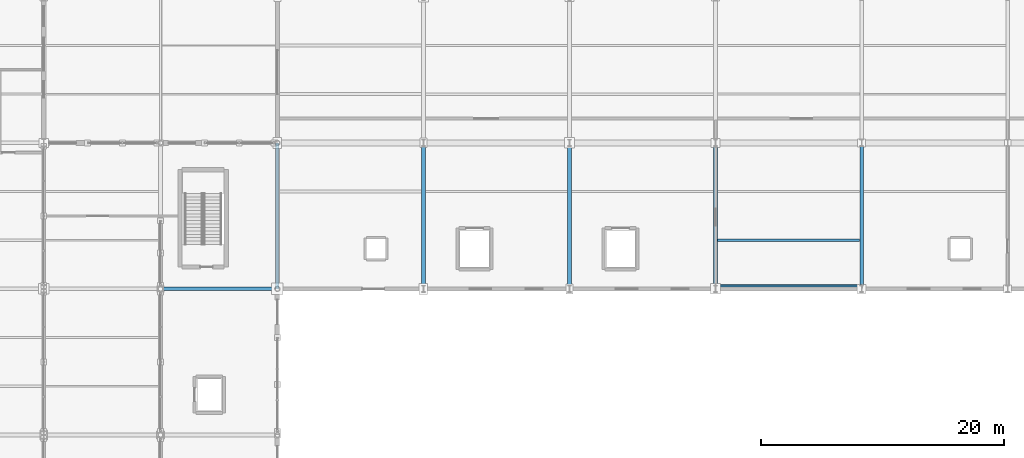
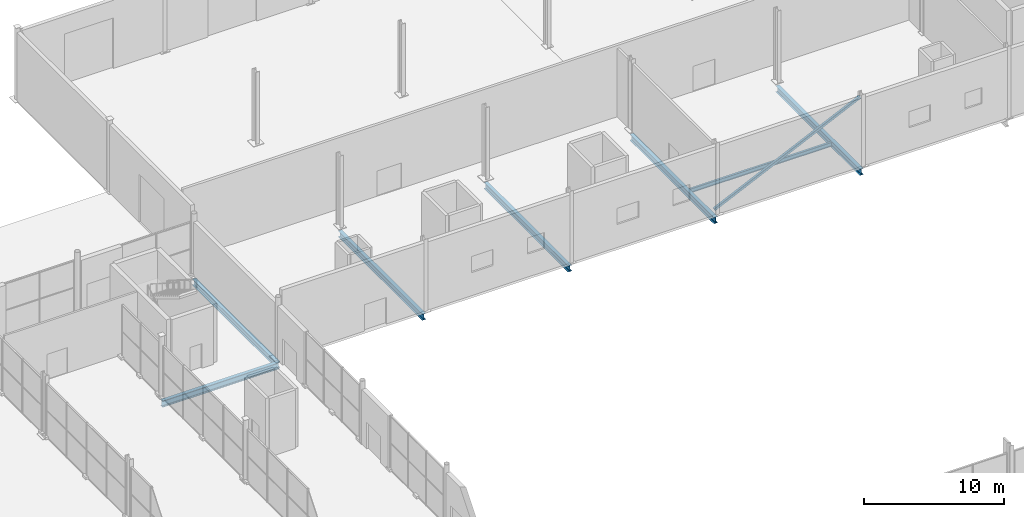
# One storey, part 120 of 196: 7 beams, 1 member.
"""IFC4 building model written with IfcOpenShell, lengths in metres."""

from ifc_helpers import new_model, si_unit, direction, frame, origin, origin_2d, place, context, subcontext, project, spatial, hollow_rectangle, i_section, extrude, material, material_profile, profile_set, type_object, element, save


model = new_model("IFC4")

# Units and contexts
model_context = context("Model", 3, precision=1e-05, world=origin(), true_north=direction((0.0, 1.0)))
body_context = subcontext(model_context, "Body", "Model", "MODEL_VIEW")
ifc_project = project(units=[si_unit("LENGTHUNIT", "METRE"), si_unit("AREAUNIT", "SQUARE_METRE"), si_unit("VOLUMEUNIT", "CUBIC_METRE"), si_unit("PLANEANGLEUNIT", "RADIAN"), si_unit("MASSUNIT", "GRAM", prefix="KILO")], contexts=[model_context])

# Site, building, storey
site_placement = place(None, origin())
site = spatial("IfcSite", under=ifc_project, at=site_placement, CompositionType="ELEMENT")
building_placement = place(site_placement, origin())
building = spatial("IfcBuilding", under=site, at=building_placement, Name="Merenkruunu Market Hall", CompositionType="ELEMENT")
storey_placement = place(building_placement, origin())
storey = spatial("IfcBuildingStorey", under=building, at=storey_placement, Name="L00", CompositionType="ELEMENT", Elevation=0.0)

# Member
ifc_material = material(Name="Steel S355J2", Category="steel")
ifc_material_profile_1 = material_profile(ifc_material, hollow_rectangle(XDim=0.219970703125, YDim=0.219970703125, WallThickness=0.012451171875, InnerFilletRadius=0.012451171875, OuterFilletRadius=0.02490234375, at=origin_2d()), Name="SHS 220x220x12.5")
ifc_profile_set_1 = profile_set([ifc_material_profile_1], Name="Steel S355J2")
member_type = type_object("IfcMemberType", Name="Diagonal Sway Brace BR04", PredefinedType="BRACE", material=ifc_profile_set_1)
member_placement = place(storey_placement, frame((112.800048828125, 87.840087890625, 0.199951171875), z_axis=(0.906180313975, 0.0, 0.422891521036), x_axis=(0.0, 1.0, 0.0)))
element("IfcMember", 1, at=member_placement, inside=storey, type_object=member_type, Name="MEM-CBF09", PredefinedType="BRACE", context=body_context, shape_type="SweptSolid", body=[
    extrude(hollow_rectangle(XDim=0.219970703125, YDim=0.219970703125, WallThickness=0.012451171875, InnerFilletRadius=0.012451171875, OuterFilletRadius=0.02490234375, at=origin_2d()), origin(), (0.0, 0.0, 1.0), 13.242431640625),
])

# Beams
ifc_material_profile_2 = material_profile(ifc_material, i_section(OverallWidth=0.300048828125, OverallDepth=0.550048828125, WebThickness=0.014892578125, FlangeThickness=0.029052734375, FilletRadius=0.027099609375, at=origin_2d()), Name="HEB 550")
ifc_profile_set_2 = profile_set([ifc_material_profile_2], Name="Steel S355J2")
beam_type_1 = type_object("IfcBeamType", Name="Primary Floor Girder B02", PredefinedType="BEAM", material=ifc_profile_set_2)
beam_1_placement = place(storey_placement, frame((67.199951171875, 87.60009765625, -0.574951171875), z_axis=(1.0, 0.0, 0.0), x_axis=(0.0, 1.0, 0.0)))
element("IfcBeam", 2, at=beam_1_placement, inside=storey, type_object=beam_type_1, Name="BM-L00-B02-0113", PredefinedType="BEAM", context=body_context, shape_type="SweptSolid", body=[
    extrude(i_section(OverallWidth=0.300048828125, OverallDepth=0.550048828125, WebThickness=0.014892578125, FlangeThickness=0.029052734375, FilletRadius=0.027099609375, at=origin_2d()), origin(), (0.0, 0.0, 1.0), 9.60009765625),
])
ifc_material_profile_3 = material_profile(ifc_material, i_section(OverallWidth=0.300048828125, OverallDepth=0.5400390625, WebThickness=0.012451171875, FlangeThickness=0.02392578125, FilletRadius=0.027099609375, at=origin_2d()), Name="HEA 550")
ifc_profile_set_3 = profile_set([ifc_material_profile_3], Name="Steel S355J2")
beam_type_2 = type_object("IfcBeamType", Name="Primary Floor Girder B06", PredefinedType="BEAM", material=ifc_profile_set_3)
for number, where, z_axis, x_axis, name in (
    (3, (76.800048828125, 87.60009765625, -0.610107421875), (0.0, 1.0, 0.0), (-1.0, 0.0, 0.0), "BM-L00-B06-0207"),
    (4, (88.800048828125, 87.60009765625, -0.610107421875), (0.0, 1.0, 0.0), (-1.0, 0.0, 0.0), "BM-L00-B06-0212"),
    (5, (100.800048828125, 87.60009765625, -0.610107421875), (0.0, 1.0, 0.0), (-1.0, 0.0, 0.0), "BM-L00-B06-0218"),
    (6, (112.800048828125, 87.60009765625, -0.610107421875), (0.0, 1.0, 0.0), (-1.0, 0.0, 0.0), "BM-L00-B06-0224"),
    (7, (124.800048828125, 87.60009765625, -0.610107421875), (0.0, 1.0, 0.0), (-1.0, 0.0, 0.0), "BM-L00-B06-0230"),
):
    element("IfcBeam", number, at=place(storey_placement, frame(where, z_axis=z_axis, x_axis=x_axis)), inside=storey, type_object=beam_type_2, Name=name, PredefinedType="BEAM", context=body_context, shape_type="SweptSolid", body=[
        extrude(i_section(OverallWidth=0.300048828125, OverallDepth=0.5400390625, WebThickness=0.012451171875, FlangeThickness=0.02392578125, FilletRadius=0.027099609375, at=origin_2d()), origin(), (0.0, 0.0, 1.0), 12.0),
    ])
ifc_material_profile_4 = material_profile(ifc_material, i_section(OverallWidth=0.169921875, OverallDepth=0.360107421875, WebThickness=0.008056640625, FlangeThickness=0.0126953125, FilletRadius=0.01806640625, at=origin_2d()), Name="IPE 360")
ifc_profile_set_4 = profile_set([ifc_material_profile_4], Name="Steel S355J2")
beam_type_3 = type_object("IfcBeamType", Name="Secondary Floor Joist J03", PredefinedType="JOIST", material=ifc_profile_set_4)
beam_2_placement = place(storey_placement, frame((112.952880859375, 91.60009765625, -0.52001953125), z_axis=(1.0, 0.0, 0.0), x_axis=(0.0, 1.0, 0.0)))
element("IfcBeam", 8, at=beam_2_placement, inside=storey, type_object=beam_type_3, Name="BM-L00-J03-0401", PredefinedType="JOIST", context=body_context, shape_type="SweptSolid", body=[
    extrude(i_section(OverallWidth=0.169921875, OverallDepth=0.360107421875, WebThickness=0.008056640625, FlangeThickness=0.0126953125, FilletRadius=0.01806640625, at=origin_2d()), origin(), (0.0, 0.0, 1.0), 11.694091796875),
])

save(model, "model.ifc")
